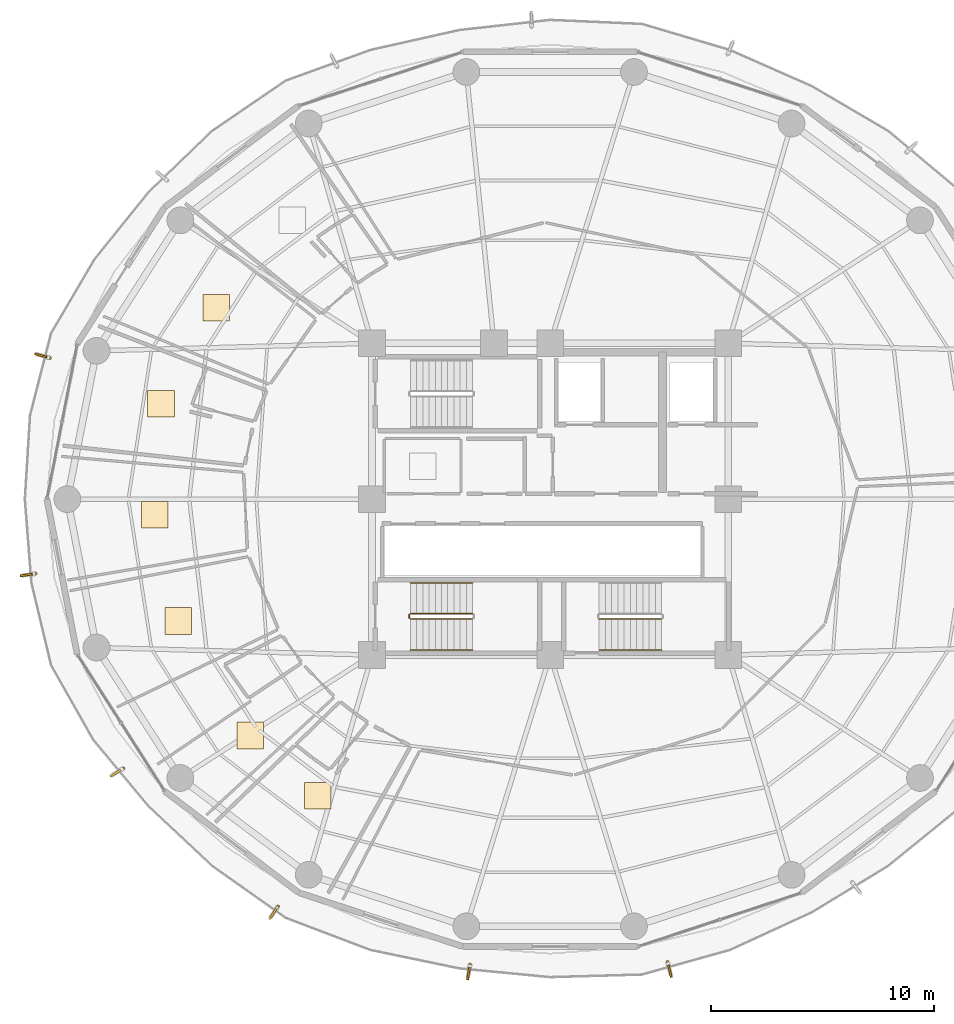
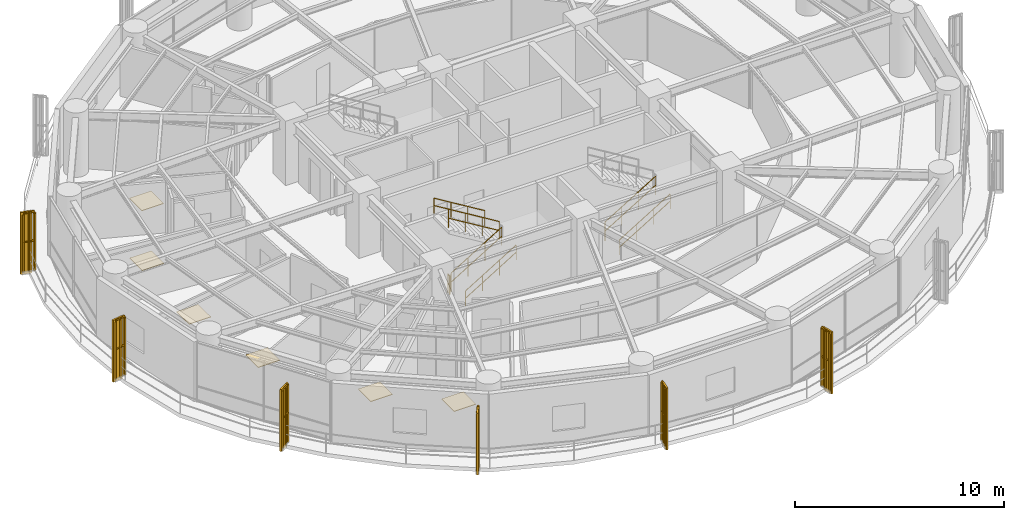
# One storey, part 25 of 28: 13 railings, 6 coverings, 6 shading devices.
"""IFC4 building model written with IfcOpenShell, lengths in metres."""

from ifc_helpers import new_model, si_unit, direction, frame, origin, origin_2d, place, context, subcontext, project, spatial, polyline, rectangle, outline, extrude, source, transform, mapped, material, layer, layer_set, type_object, element, save


model = new_model("IFC4")

# Units and contexts
model_context = context("Model", 3, precision=1e-05, world=origin(), true_north=direction((0.0, 1.0)))
body_context = subcontext(model_context, "Body", "Model", "MODEL_VIEW")
ifc_project = project(units=[si_unit("LENGTHUNIT", "METRE"), si_unit("AREAUNIT", "SQUARE_METRE"), si_unit("VOLUMEUNIT", "CUBIC_METRE"), si_unit("PLANEANGLEUNIT", "RADIAN"), si_unit("MASSUNIT", "GRAM", prefix="KILO")], contexts=[model_context])

# Site, building, storey
site_placement = place(None, origin())
site = spatial("IfcSite", under=ifc_project, at=site_placement, CompositionType="ELEMENT")
building_placement = place(site_placement, origin())
building = spatial("IfcBuilding", under=site, at=building_placement, Name="Kelanora Arch Commons", CompositionType="ELEMENT")
storey_placement = place(building_placement, frame((0.0, 0.0, 161.85009765625)))
storey = spatial("IfcBuildingStorey", under=building, at=storey_placement, Name="L41", CompositionType="ELEMENT", Elevation=161.85009765625)

# Railings
ifc_material_1 = material(Name="Anodised bronze vertical shading fin rib assembly")
railing_type_1 = type_object("IfcRailingType", Name="RAIL-FIN-BRZ", PredefinedType="BALUSTRADE", material=ifc_material_1)
railing_1_placement = place(storey_placement, frame((51.5302734375, 64.343505859375, -0.02001953125)))
element("IfcRailing", 1, at=railing_1_placement, inside=storey, type_object=railing_type_1, Name="Sweeping Bronze Vertical Fin Blade L41-07", PredefinedType="BALUSTRADE", context=body_context, shape_type="SweptSolid", body=[
    extrude(outline(polyline([(0.06982421875, 0.0), (0.034912109375, 0.060546875), (-0.034912109375, 0.060546875), (-0.06982421875, 0.0), (-0.034912109375, -0.060546875), (0.034912109375, -0.060546875), (0.06982421875, 0.0)])), frame((0.0, 0.0, 3.419921875), z_axis=(-0.962356396028, 0.271790667654, 0.0), x_axis=(-0.271790667654, -0.962356396028, 0.0)), (0.0, 0.0, 1.0), 0.5615234375),
    extrude(outline(polyline([(0.06982421875, 0.0), (0.034912109375, 0.060546875), (-0.034912109375, 0.060546875), (-0.06982421875, 0.0), (-0.034912109375, -0.060546875), (0.034912109375, -0.060546875), (0.06982421875, 0.0)])), frame((0.0, 0.0, 1.7451171875), z_axis=(-0.962356396028, 0.271790667654, 0.0), x_axis=(-0.271790667654, -0.962356396028, 0.0)), (0.0, 0.0, 1.0), 0.5615234375),
    extrude(outline(polyline([(0.080078125, 0.0), (0.0400390625, 0.0693359375), (-0.0400390625, 0.0693359375), (-0.080078125, 0.0), (-0.0400390625, -0.0693359375), (0.0400390625, -0.0693359375), (0.080078125, 0.0)])), origin(), (0.0, 0.0, 1.0), 3.35009765625),
    extrude(outline(polyline([(0.080078125, 0.0), (0.0400390625, 0.0693359375), (-0.0400390625, 0.0693359375), (-0.080078125, 0.0), (-0.0400390625, -0.0693359375), (0.0400390625, -0.0693359375), (0.080078125, 0.0)])), frame((-0.27001953125, 0.076171875, 0.0)), (0.0, 0.0, 1.0), 3.35009765625),
    extrude(outline(polyline([(0.080078125, 0.0), (0.0400390625, 0.0693359375), (-0.0400390625, 0.0693359375), (-0.080078125, 0.0), (-0.0400390625, -0.0693359375), (0.0400390625, -0.0693359375), (0.080078125, 0.0)])), frame((-0.540283203125, 0.152587890625, 0.0)), (0.0, 0.0, 1.0), 3.35009765625),
])
railing_2_placement = place(storey_placement, frame((50.891845703125, 54.65576171875, -0.02001953125)))
element("IfcRailing", 2, at=railing_2_placement, inside=storey, type_object=railing_type_1, Name="Sweeping Bronze Vertical Fin Blade L41-08", PredefinedType="BALUSTRADE", context=body_context, shape_type="SweptSolid", body=[
    extrude(outline(polyline([(0.06982421875, 0.0), (0.034912109375, 0.060546875), (-0.034912109375, 0.060546875), (-0.06982421875, 0.0), (-0.034912109375, -0.060546875), (0.034912109375, -0.060546875), (0.06982421875, 0.0)])), frame((0.0, 0.0, 3.419921875), z_axis=(-0.989651651991, -0.143490793127, 0.0), x_axis=(0.143490793127, -0.989651651991, 0.0)), (0.0, 0.0, 1.0), 0.5615234375),
    extrude(outline(polyline([(0.06982421875, 0.0), (0.034912109375, 0.060546875), (-0.034912109375, 0.060546875), (-0.06982421875, 0.0), (-0.034912109375, -0.060546875), (0.034912109375, -0.060546875), (0.06982421875, 0.0)])), frame((0.0, 0.0, 1.7451171875), z_axis=(-0.989651651991, -0.143490793127, 0.0), x_axis=(0.143490793127, -0.989651651991, 0.0)), (0.0, 0.0, 1.0), 0.5615234375),
    extrude(outline(polyline([(0.080078125, 0.0), (0.0400390625, 0.0693359375), (-0.0400390625, 0.0693359375), (-0.080078125, 0.0), (-0.0400390625, -0.0693359375), (0.0400390625, -0.0693359375), (0.080078125, 0.0)])), origin(), (0.0, 0.0, 1.0), 3.35009765625),
    extrude(outline(polyline([(0.080078125, 0.0), (0.0400390625, 0.0693359375), (-0.0400390625, 0.0693359375), (-0.080078125, 0.0), (-0.0400390625, -0.0693359375), (0.0400390625, -0.0693359375), (0.080078125, 0.0)])), frame((-0.27783203125, -0.040283203125, 0.0)), (0.0, 0.0, 1.0), 3.35009765625),
    extrude(outline(polyline([(0.080078125, 0.0), (0.0400390625, 0.0693359375), (-0.0400390625, 0.0693359375), (-0.080078125, 0.0), (-0.0400390625, -0.0693359375), (0.0400390625, -0.0693359375), (0.080078125, 0.0)])), frame((-0.5556640625, -0.08056640625, 0.0)), (0.0, 0.0, 1.0), 3.35009765625),
])
railing_3_placement = place(storey_placement, frame((54.831787109375, 45.912841796875, -0.02001953125)))
element("IfcRailing", 3, at=railing_3_placement, inside=storey, type_object=railing_type_1, Name="Sweeping Bronze Vertical Fin Blade L41-09", PredefinedType="BALUSTRADE", context=body_context, shape_type="SweptSolid", body=[
    extrude(outline(polyline([(0.06982421875, 0.0), (0.034912109375, 0.060546875), (-0.034912109375, 0.060546875), (-0.06982421875, 0.0), (-0.034912109375, -0.060546875), (0.034912109375, -0.060546875), (0.06982421875, 0.0)])), frame((0.0, 0.0, 3.419921875), z_axis=(-0.845767775405, -0.533551187878, 0.0), x_axis=(0.533551187878, -0.845767775405, 0.0)), (0.0, 0.0, 1.0), 0.5615234375),
    extrude(outline(polyline([(0.06982421875, 0.0), (0.034912109375, 0.060546875), (-0.034912109375, 0.060546875), (-0.06982421875, 0.0), (-0.034912109375, -0.060546875), (0.034912109375, -0.060546875), (0.06982421875, 0.0)])), frame((0.0, 0.0, 1.7451171875), z_axis=(-0.845767775405, -0.533551187878, 0.0), x_axis=(0.533551187878, -0.845767775405, 0.0)), (0.0, 0.0, 1.0), 0.5615234375),
    extrude(outline(polyline([(0.080078125, 0.0), (0.0400390625, 0.0693359375), (-0.0400390625, 0.0693359375), (-0.080078125, 0.0), (-0.0400390625, -0.0693359375), (0.0400390625, -0.0693359375), (0.080078125, 0.0)])), origin(), (0.0, 0.0, 1.0), 3.35009765625),
    extrude(outline(polyline([(0.080078125, 0.0), (0.0400390625, 0.0693359375), (-0.0400390625, 0.0693359375), (-0.080078125, 0.0), (-0.0400390625, -0.0693359375), (0.0400390625, -0.0693359375), (0.080078125, 0.0)])), frame((-0.2373046875, -0.14990234375, 0.0)), (0.0, 0.0, 1.0), 3.35009765625),
    extrude(outline(polyline([(0.080078125, 0.0), (0.0400390625, 0.0693359375), (-0.0400390625, 0.0693359375), (-0.080078125, 0.0), (-0.0400390625, -0.0693359375), (0.0400390625, -0.0693359375), (0.080078125, 0.0)])), frame((-0.474853515625, -0.299560546875, 0.0)), (0.0, 0.0, 1.0), 3.35009765625),
])
railing_4_placement = place(storey_placement, frame((61.7763671875, 39.71630859375, -0.02001953125)))
element("IfcRailing", 4, at=railing_4_placement, inside=storey, type_object=railing_type_1, Name="Sweeping Bronze Vertical Fin Blade L41-10", PredefinedType="BALUSTRADE", context=body_context, shape_type="SweptSolid", body=[
    extrude(outline(polyline([(0.06982421875, 0.0), (0.034912109375, 0.060546875), (-0.034912109375, 0.060546875), (-0.06982421875, 0.0), (-0.034912109375, -0.060546875), (0.034912109375, -0.060546875), (0.06982421875, 0.0)])), frame((0.0, 0.0, 3.419921875), z_axis=(-0.555904174369, -0.831246382801, 0.0), x_axis=(0.831246382801, -0.555904174369, 0.0)), (0.0, 0.0, 1.0), 0.561279296875),
    extrude(outline(polyline([(0.06982421875, 0.0), (0.034912109375, 0.060546875), (-0.034912109375, 0.060546875), (-0.06982421875, 0.0), (-0.034912109375, -0.060546875), (0.034912109375, -0.060546875), (0.06982421875, 0.0)])), frame((0.0, 0.0, 1.7451171875), z_axis=(-0.555904174369, -0.831246382801, 0.0), x_axis=(0.831246382801, -0.555904174369, 0.0)), (0.0, 0.0, 1.0), 0.561279296875),
    extrude(outline(polyline([(0.080078125, 0.0), (0.0400390625, 0.0693359375), (-0.0400390625, 0.0693359375), (-0.080078125, 0.0), (-0.0400390625, -0.0693359375), (0.0400390625, -0.0693359375), (0.080078125, 0.0)])), origin(), (0.0, 0.0, 1.0), 3.35009765625),
    extrude(outline(polyline([(0.080078125, 0.0), (0.0400390625, 0.0693359375), (-0.0400390625, 0.0693359375), (-0.080078125, 0.0), (-0.0400390625, -0.0693359375), (0.0400390625, -0.0693359375), (0.080078125, 0.0)])), frame((-0.156005859375, -0.2333984375, 0.0)), (0.0, 0.0, 1.0), 3.35009765625),
    extrude(outline(polyline([(0.080078125, 0.0), (0.0400390625, 0.0693359375), (-0.0400390625, 0.0693359375), (-0.080078125, 0.0), (-0.0400390625, -0.0693359375), (0.0400390625, -0.0693359375), (0.080078125, 0.0)])), frame((-0.31201171875, -0.466552734375, 0.0)), (0.0, 0.0, 1.0), 3.35009765625),
])
railing_5_placement = place(storey_placement, frame((70.404052734375, 37.10595703125, -0.02001953125)))
element("IfcRailing", 5, at=railing_5_placement, inside=storey, type_object=railing_type_1, Name="Sweeping Bronze Vertical Fin Blade L41-11", PredefinedType="BALUSTRADE", context=body_context, shape_type="SweptSolid", body=[
    extrude(outline(polyline([(0.06982421875, 0.0), (0.034912109375, 0.060546875), (-0.034912109375, 0.060546875), (-0.06982421875, 0.0), (-0.034912109375, -0.060546875), (0.034912109375, -0.060546875), (0.06982421875, 0.0)])), frame((0.0, 0.0, 3.419921875), z_axis=(-0.16961562862, -0.985510293466, 0.0), x_axis=(0.985510293466, -0.16961562862, 0.0)), (0.0, 0.0, 1.0), 0.561279296875),
    extrude(outline(polyline([(0.06982421875, 0.0), (0.034912109375, 0.060546875), (-0.034912109375, 0.060546875), (-0.06982421875, 0.0), (-0.034912109375, -0.060546875), (0.034912109375, -0.060546875), (0.06982421875, 0.0)])), frame((0.0, 0.0, 1.7451171875), z_axis=(-0.16961562862, -0.985510293466, 0.0), x_axis=(0.985510293466, -0.16961562862, 0.0)), (0.0, 0.0, 1.0), 0.561279296875),
    extrude(outline(polyline([(0.080078125, 0.0), (0.0400390625, 0.0693359375), (-0.0400390625, 0.0693359375), (-0.080078125, 0.0), (-0.0400390625, -0.0693359375), (0.0400390625, -0.0693359375), (0.080078125, 0.0)])), origin(), (0.0, 0.0, 1.0), 3.35009765625),
    extrude(outline(polyline([(0.080078125, 0.0), (0.0400390625, 0.0693359375), (-0.0400390625, 0.0693359375), (-0.080078125, 0.0), (-0.0400390625, -0.0693359375), (0.0400390625, -0.0693359375), (0.080078125, 0.0)])), frame((-0.047607421875, -0.276611328125, 0.0)), (0.0, 0.0, 1.0), 3.35009765625),
    extrude(outline(polyline([(0.080078125, 0.0), (0.0400390625, 0.0693359375), (-0.0400390625, 0.0693359375), (-0.080078125, 0.0), (-0.0400390625, -0.0693359375), (0.0400390625, -0.0693359375), (0.080078125, 0.0)])), frame((-0.09521484375, -0.55322265625, 0.0)), (0.0, 0.0, 1.0), 3.35009765625),
])
railing_6_placement = place(storey_placement, frame((79.27490234375, 37.20751953125, -0.02001953125)))
element("IfcRailing", 6, at=railing_6_placement, inside=storey, type_object=railing_type_1, Name="Sweeping Bronze Vertical Fin Blade L41-12", PredefinedType="BALUSTRADE", context=body_context, shape_type="SweptSolid", body=[
    extrude(outline(polyline([(0.06982421875, 0.0), (0.034912109375, 0.060546875), (-0.034912109375, 0.060546875), (-0.06982421875, 0.0), (-0.034912109375, -0.060546875), (0.034912109375, -0.060546875), (0.06982421875, 0.0)])), frame((0.0, 0.0, 3.419921875), z_axis=(0.245706383929, -0.969344300492, 0.0), x_axis=(0.969344300492, 0.245706383929, 0.0)), (0.0, 0.0, 1.0), 0.561279296875),
    extrude(outline(polyline([(0.06982421875, 0.0), (0.034912109375, 0.060546875), (-0.034912109375, 0.060546875), (-0.06982421875, 0.0), (-0.034912109375, -0.060546875), (0.034912109375, -0.060546875), (0.06982421875, 0.0)])), frame((0.0, 0.0, 1.7451171875), z_axis=(0.245706383929, -0.969344300492, 0.0), x_axis=(0.969344300492, 0.245706383929, 0.0)), (0.0, 0.0, 1.0), 0.561279296875),
    extrude(outline(polyline([(0.080078125, 0.0), (0.0400390625, 0.0693359375), (-0.0400390625, 0.0693359375), (-0.080078125, 0.0), (-0.0400390625, -0.0693359375), (0.0400390625, -0.0693359375), (0.080078125, 0.0)])), origin(), (0.0, 0.0, 1.0), 3.35009765625),
    extrude(outline(polyline([(0.080078125, 0.0), (0.0400390625, 0.0693359375), (-0.0400390625, 0.0693359375), (-0.080078125, 0.0), (-0.0400390625, -0.0693359375), (0.0400390625, -0.0693359375), (0.080078125, 0.0)])), frame((0.06884765625, -0.27197265625, 0.0)), (0.0, 0.0, 1.0), 3.35009765625),
    extrude(outline(polyline([(0.080078125, 0.0), (0.0400390625, 0.0693359375), (-0.0400390625, 0.0693359375), (-0.080078125, 0.0), (-0.0400390625, -0.0693359375), (0.0400390625, -0.0693359375), (0.080078125, 0.0)])), frame((0.137939453125, -0.544189453125, 0.0)), (0.0, 0.0, 1.0), 3.35009765625),
])
ifc_material_2 = material(Name="Painted steel stair well guard", Category="steel")
railing_type_2 = type_object("IfcRailingType", Name="RAIL-STAIR-GRD", PredefinedType="GUARDRAIL", material=ifc_material_2)
railing_7_placement = place(storey_placement, frame((76.199951171875, 52.610107421875, 0.17041015625)))
element("IfcRailing", 7, at=railing_7_placement, inside=storey, type_object=railing_type_2, Name="L41 ST-T2 stair guard 1", PredefinedType="GUARDRAIL", context=body_context, shape_type="SweptSolid", body=[
    extrude(outline(polyline([(0.02392578125, 0.0), (0.011962890625, 0.020751953125), (-0.011962890625, 0.020751953125), (-0.02392578125, 0.0), (-0.011962890625, -0.020751953125), (0.011962890625, -0.020751953125), (0.02392578125, 0.0)])), frame((0.0, 0.0, 1.076171875), z_axis=(0.854169791009, 0.0, 0.51999420009), x_axis=(0.0, 1.0, 0.0)), (0.0, 0.0, 1.0), 3.278076171875),
    extrude(outline(polyline([(0.02392578125, 0.0), (0.011962890625, 0.020751953125), (-0.011962890625, 0.020751953125), (-0.02392578125, 0.0), (-0.011962890625, -0.020751953125), (0.011962890625, -0.020751953125), (0.02392578125, 0.0)])), frame((0.0, 0.0, 0.550048828125), z_axis=(0.854169791009, 0.0, 0.51999420009), x_axis=(0.0, 1.0, 0.0)), (0.0, 0.0, 1.0), 3.278076171875),
    extrude(outline(polyline([(0.02099609375, 0.0), (0.010498046875, 0.01806640625), (-0.010498046875, 0.01806640625), (-0.02099609375, 0.0), (-0.010498046875, -0.01806640625), (0.010498046875, -0.01806640625), (0.02099609375, 0.0)])), origin(), (0.0, 0.0, 1.0), 1.052001953125),
    extrude(outline(polyline([(0.02099609375, 0.0), (0.010498046875, 0.01806640625), (-0.010498046875, 0.01806640625), (-0.02099609375, 0.0), (-0.010498046875, -0.01806640625), (0.010498046875, -0.01806640625), (0.02099609375, 0.0)])), frame((0.933349609375, 0.0, 0.568115234375)), (0.0, 0.0, 1.0), 1.052001953125),
    extrude(outline(polyline([(0.02099609375, 0.0), (0.010498046875, 0.01806640625), (-0.010498046875, 0.01806640625), (-0.02099609375, 0.0), (-0.010498046875, -0.01806640625), (0.010498046875, -0.01806640625), (0.02099609375, 0.0)])), frame((1.86669921875, 0.0, 1.136474609375)), (0.0, 0.0, 1.0), 1.052001953125),
    extrude(outline(polyline([(0.02099609375, 0.0), (0.010498046875, 0.01806640625), (-0.010498046875, 0.01806640625), (-0.02099609375, 0.0), (-0.010498046875, -0.01806640625), (0.010498046875, -0.01806640625), (0.02099609375, 0.0)])), frame((2.800048828125, 0.0, 1.70458984375)), (0.0, 0.0, 1.0), 1.052001953125),
])
railing_8_placement = place(storey_placement, frame((67.719970703125, 52.610107421875, 0.17041015625)))
element("IfcRailing", 8, at=railing_8_placement, inside=storey, type_object=railing_type_2, Name="L41 ST-T3 stair guard 1", PredefinedType="GUARDRAIL", context=body_context, shape_type="SweptSolid", body=[
    extrude(outline(polyline([(0.02392578125, 0.0), (0.011962890625, 0.020751953125), (-0.011962890625, 0.020751953125), (-0.02392578125, 0.0), (-0.011962890625, -0.020751953125), (0.011962890625, -0.020751953125), (0.02392578125, 0.0)])), frame((0.0, 0.0, 1.076171875), z_axis=(0.854169791009, 0.0, 0.51999420009), x_axis=(0.0, 1.0, 0.0)), (0.0, 0.0, 1.0), 3.278076171875),
    extrude(outline(polyline([(0.02392578125, 0.0), (0.011962890625, 0.020751953125), (-0.011962890625, 0.020751953125), (-0.02392578125, 0.0), (-0.011962890625, -0.020751953125), (0.011962890625, -0.020751953125), (0.02392578125, 0.0)])), frame((0.0, 0.0, 0.550048828125), z_axis=(0.854169791009, 0.0, 0.51999420009), x_axis=(0.0, 1.0, 0.0)), (0.0, 0.0, 1.0), 3.278076171875),
    extrude(outline(polyline([(0.02099609375, 0.0), (0.010498046875, 0.01806640625), (-0.010498046875, 0.01806640625), (-0.02099609375, 0.0), (-0.010498046875, -0.01806640625), (0.010498046875, -0.01806640625), (0.02099609375, 0.0)])), origin(), (0.0, 0.0, 1.0), 1.052001953125),
    extrude(outline(polyline([(0.02099609375, 0.0), (0.010498046875, 0.01806640625), (-0.010498046875, 0.01806640625), (-0.02099609375, 0.0), (-0.010498046875, -0.01806640625), (0.010498046875, -0.01806640625), (0.02099609375, 0.0)])), frame((0.933349609375, 0.0, 0.568115234375)), (0.0, 0.0, 1.0), 1.052001953125),
    extrude(outline(polyline([(0.02099609375, 0.0), (0.010498046875, 0.01806640625), (-0.010498046875, 0.01806640625), (-0.02099609375, 0.0), (-0.010498046875, -0.01806640625), (0.010498046875, -0.01806640625), (0.02099609375, 0.0)])), frame((1.86669921875, 0.0, 1.136474609375)), (0.0, 0.0, 1.0), 1.052001953125),
    extrude(outline(polyline([(0.02099609375, 0.0), (0.010498046875, 0.01806640625), (-0.010498046875, 0.01806640625), (-0.02099609375, 0.0), (-0.010498046875, -0.01806640625), (0.010498046875, -0.01806640625), (0.02099609375, 0.0)])), frame((2.800048828125, 0.0, 1.70458984375)), (0.0, 0.0, 1.0), 1.052001953125),
])
railing_9_placement = place(storey_placement, frame((70.52001953125, 52.860107421875, 2.04541015625)))
element("IfcRailing", 9, at=railing_9_placement, inside=storey, type_object=railing_type_2, Name="L41 ST-T3 stair guard 3", PredefinedType="GUARDRAIL", context=body_context, shape_type="SweptSolid", body=[
    extrude(outline(polyline([(0.02392578125, 0.0), (0.011962890625, 0.020751953125), (-0.011962890625, 0.020751953125), (-0.02392578125, 0.0), (-0.011962890625, -0.020751953125), (0.011962890625, -0.020751953125), (0.02392578125, 0.0)])), frame((0.0, 0.0, 1.076171875), z_axis=(-0.854169791009, 0.0, 0.51999420009), x_axis=(0.0, -1.0, 0.0)), (0.0, 0.0, 1.0), 3.278076171875),
    extrude(outline(polyline([(0.02392578125, 0.0), (0.011962890625, 0.020751953125), (-0.011962890625, 0.020751953125), (-0.02392578125, 0.0), (-0.011962890625, -0.020751953125), (0.011962890625, -0.020751953125), (0.02392578125, 0.0)])), frame((0.0, 0.0, 0.550048828125), z_axis=(-0.854169791009, 0.0, 0.51999420009), x_axis=(0.0, -1.0, 0.0)), (0.0, 0.0, 1.0), 3.278076171875),
    extrude(outline(polyline([(0.02099609375, 0.0), (0.010498046875, 0.01806640625), (-0.010498046875, 0.01806640625), (-0.02099609375, 0.0), (-0.010498046875, -0.01806640625), (0.010498046875, -0.01806640625), (0.02099609375, 0.0)])), origin(), (0.0, 0.0, 1.0), 1.052001953125),
    extrude(outline(polyline([(0.02099609375, 0.0), (0.010498046875, 0.01806640625), (-0.010498046875, 0.01806640625), (-0.02099609375, 0.0), (-0.010498046875, -0.01806640625), (0.010498046875, -0.01806640625), (0.02099609375, 0.0)])), frame((-0.933349609375, 0.0, 0.568115234375)), (0.0, 0.0, 1.0), 1.052001953125),
    extrude(outline(polyline([(0.02099609375, 0.0), (0.010498046875, 0.01806640625), (-0.010498046875, 0.01806640625), (-0.02099609375, 0.0), (-0.010498046875, -0.01806640625), (0.010498046875, -0.01806640625), (0.02099609375, 0.0)])), frame((-1.86669921875, 0.0, 1.136474609375)), (0.0, 0.0, 1.0), 1.052001953125),
    extrude(outline(polyline([(0.02099609375, 0.0), (0.010498046875, 0.01806640625), (-0.010498046875, 0.01806640625), (-0.02099609375, 0.0), (-0.010498046875, -0.01806640625), (0.010498046875, -0.01806640625), (0.02099609375, 0.0)])), frame((-2.800048828125, 0.0, 1.70458984375)), (0.0, 0.0, 1.0), 1.052001953125),
])
railing_10_placement = place(storey_placement, frame((67.669921875, 52.659912109375, 0.0)))
element("IfcRailing", 10, at=railing_10_placement, inside=storey, type_object=railing_type_2, Name="L41 ST-T3 stair guard 4", PredefinedType="GUARDRAIL", context=body_context, shape_type="SweptSolid", body=[
    extrude(outline(polyline([(0.02392578125, 0.0), (0.011962890625, 0.020751953125), (-0.011962890625, 0.020751953125), (-0.02392578125, 0.0), (-0.011962890625, -0.020751953125), (0.011962890625, -0.020751953125), (0.02392578125, 0.0)])), frame((0.0, 0.0, 1.076171875), z_axis=(0.0, 1.0, 0.0), x_axis=(-1.0, 0.0, 0.0)), (0.0, 0.0, 1.0), 0.150146484375),
    extrude(outline(polyline([(0.02392578125, 0.0), (0.011962890625, 0.020751953125), (-0.011962890625, 0.020751953125), (-0.02392578125, 0.0), (-0.011962890625, -0.020751953125), (0.011962890625, -0.020751953125), (0.02392578125, 0.0)])), frame((0.0, 0.0, 0.550048828125), z_axis=(0.0, 1.0, 0.0), x_axis=(-1.0, 0.0, 0.0)), (0.0, 0.0, 1.0), 0.150146484375),
    extrude(outline(polyline([(0.02099609375, 0.0), (0.010498046875, 0.01806640625), (-0.010498046875, 0.01806640625), (-0.02099609375, 0.0), (-0.010498046875, -0.01806640625), (0.010498046875, -0.01806640625), (0.02099609375, 0.0)])), origin(), (0.0, 0.0, 1.0), 1.052001953125),
    extrude(outline(polyline([(0.02099609375, 0.0), (0.010498046875, 0.01806640625), (-0.010498046875, 0.01806640625), (-0.02099609375, 0.0), (-0.010498046875, -0.01806640625), (0.010498046875, -0.01806640625), (0.02099609375, 0.0)])), frame((0.0, 0.150146484375, 0.0)), (0.0, 0.0, 1.0), 1.052001953125),
])
ifc_material_3 = material(Name="Brushed stainless steel stair handrail", Category="steel")
railing_type_3 = type_object("IfcRailingType", Name="RAIL-STAIR-HND", PredefinedType="HANDRAIL", material=ifc_material_3)
railing_11_placement = place(storey_placement, frame((76.199951171875, 51.22998046875, 0.17041015625)))
element("IfcRailing", 11, at=railing_11_placement, inside=storey, type_object=railing_type_3, Name="L41 ST-T2 stair handrail 1", PredefinedType="HANDRAIL", context=body_context, shape_type="SweptSolid", body=[
    extrude(outline(polyline([(0.02392578125, 0.0), (0.011962890625, 0.020751953125), (-0.011962890625, 0.020751953125), (-0.02392578125, 0.0), (-0.011962890625, -0.020751953125), (0.011962890625, -0.020751953125), (0.02392578125, 0.0)])), frame((0.0, 0.0, 0.8759765625), z_axis=(0.854169791009, 0.0, 0.51999420009), x_axis=(0.0, 1.0, 0.0)), (0.0, 0.0, 1.0), 3.278076171875),
    extrude(outline(polyline([(0.02392578125, 0.0), (0.011962890625, 0.020751953125), (-0.011962890625, 0.020751953125), (-0.02392578125, 0.0), (-0.011962890625, -0.020751953125), (0.011962890625, -0.020751953125), (0.02392578125, 0.0)])), frame((0.0, 0.0, 0.449951171875), z_axis=(0.854169791009, 0.0, 0.51999420009), x_axis=(0.0, 1.0, 0.0)), (0.0, 0.0, 1.0), 3.278076171875),
    extrude(outline(polyline([(0.02099609375, 0.0), (0.010498046875, 0.01806640625), (-0.010498046875, 0.01806640625), (-0.02099609375, 0.0), (-0.010498046875, -0.01806640625), (0.010498046875, -0.01806640625), (0.02099609375, 0.0)])), origin(), (0.0, 0.0, 1.0), 0.851806640625),
    extrude(outline(polyline([(0.02099609375, 0.0), (0.010498046875, 0.01806640625), (-0.010498046875, 0.01806640625), (-0.02099609375, 0.0), (-0.010498046875, -0.01806640625), (0.010498046875, -0.01806640625), (0.02099609375, 0.0)])), frame((0.933349609375, 0.0, 0.568115234375)), (0.0, 0.0, 1.0), 0.851806640625),
    extrude(outline(polyline([(0.02099609375, 0.0), (0.010498046875, 0.01806640625), (-0.010498046875, 0.01806640625), (-0.02099609375, 0.0), (-0.010498046875, -0.01806640625), (0.010498046875, -0.01806640625), (0.02099609375, 0.0)])), frame((1.86669921875, 0.0, 1.136474609375)), (0.0, 0.0, 1.0), 0.851806640625),
    extrude(outline(polyline([(0.02099609375, 0.0), (0.010498046875, 0.01806640625), (-0.010498046875, 0.01806640625), (-0.02099609375, 0.0), (-0.010498046875, -0.01806640625), (0.010498046875, -0.01806640625), (0.02099609375, 0.0)])), frame((2.800048828125, 0.0, 1.70458984375)), (0.0, 0.0, 1.0), 0.851806640625),
])
railing_12_placement = place(storey_placement, frame((67.719970703125, 51.22998046875, 0.17041015625)))
element("IfcRailing", 12, at=railing_12_placement, inside=storey, type_object=railing_type_3, Name="L41 ST-T3 stair handrail 1", PredefinedType="HANDRAIL", context=body_context, shape_type="SweptSolid", body=[
    extrude(outline(polyline([(0.02392578125, 0.0), (0.011962890625, 0.020751953125), (-0.011962890625, 0.020751953125), (-0.02392578125, 0.0), (-0.011962890625, -0.020751953125), (0.011962890625, -0.020751953125), (0.02392578125, 0.0)])), frame((0.0, 0.0, 0.8759765625), z_axis=(0.854169791009, 0.0, 0.51999420009), x_axis=(0.0, 1.0, 0.0)), (0.0, 0.0, 1.0), 3.278076171875),
    extrude(outline(polyline([(0.02392578125, 0.0), (0.011962890625, 0.020751953125), (-0.011962890625, 0.020751953125), (-0.02392578125, 0.0), (-0.011962890625, -0.020751953125), (0.011962890625, -0.020751953125), (0.02392578125, 0.0)])), frame((0.0, 0.0, 0.449951171875), z_axis=(0.854169791009, 0.0, 0.51999420009), x_axis=(0.0, 1.0, 0.0)), (0.0, 0.0, 1.0), 3.278076171875),
    extrude(outline(polyline([(0.02099609375, 0.0), (0.010498046875, 0.01806640625), (-0.010498046875, 0.01806640625), (-0.02099609375, 0.0), (-0.010498046875, -0.01806640625), (0.010498046875, -0.01806640625), (0.02099609375, 0.0)])), origin(), (0.0, 0.0, 1.0), 0.851806640625),
    extrude(outline(polyline([(0.02099609375, 0.0), (0.010498046875, 0.01806640625), (-0.010498046875, 0.01806640625), (-0.02099609375, 0.0), (-0.010498046875, -0.01806640625), (0.010498046875, -0.01806640625), (0.02099609375, 0.0)])), frame((0.933349609375, 0.0, 0.568115234375)), (0.0, 0.0, 1.0), 0.851806640625),
    extrude(outline(polyline([(0.02099609375, 0.0), (0.010498046875, 0.01806640625), (-0.010498046875, 0.01806640625), (-0.02099609375, 0.0), (-0.010498046875, -0.01806640625), (0.010498046875, -0.01806640625), (0.02099609375, 0.0)])), frame((1.86669921875, 0.0, 1.136474609375)), (0.0, 0.0, 1.0), 0.851806640625),
    extrude(outline(polyline([(0.02099609375, 0.0), (0.010498046875, 0.01806640625), (-0.010498046875, 0.01806640625), (-0.02099609375, 0.0), (-0.010498046875, -0.01806640625), (0.010498046875, -0.01806640625), (0.02099609375, 0.0)])), frame((2.800048828125, 0.0, 1.70458984375)), (0.0, 0.0, 1.0), 0.851806640625),
])
railing_13_placement = place(storey_placement, frame((70.52001953125, 54.239990234375, 2.04541015625)))
element("IfcRailing", 13, at=railing_13_placement, inside=storey, type_object=railing_type_3, Name="L41 ST-T3 stair handrail 2", PredefinedType="HANDRAIL", context=body_context, shape_type="SweptSolid", body=[
    extrude(outline(polyline([(0.02392578125, 0.0), (0.011962890625, 0.020751953125), (-0.011962890625, 0.020751953125), (-0.02392578125, 0.0), (-0.011962890625, -0.020751953125), (0.011962890625, -0.020751953125), (0.02392578125, 0.0)])), frame((0.0, 0.0, 0.8759765625), z_axis=(-0.854169791009, 0.0, 0.51999420009), x_axis=(0.0, -1.0, 0.0)), (0.0, 0.0, 1.0), 3.278076171875),
    extrude(outline(polyline([(0.02392578125, 0.0), (0.011962890625, 0.020751953125), (-0.011962890625, 0.020751953125), (-0.02392578125, 0.0), (-0.011962890625, -0.020751953125), (0.011962890625, -0.020751953125), (0.02392578125, 0.0)])), frame((0.0, 0.0, 0.449951171875), z_axis=(-0.854169791009, 0.0, 0.51999420009), x_axis=(0.0, -1.0, 0.0)), (0.0, 0.0, 1.0), 3.278076171875),
    extrude(outline(polyline([(0.02099609375, 0.0), (0.010498046875, 0.01806640625), (-0.010498046875, 0.01806640625), (-0.02099609375, 0.0), (-0.010498046875, -0.01806640625), (0.010498046875, -0.01806640625), (0.02099609375, 0.0)])), origin(), (0.0, 0.0, 1.0), 0.851806640625),
    extrude(outline(polyline([(0.02099609375, 0.0), (0.010498046875, 0.01806640625), (-0.010498046875, 0.01806640625), (-0.02099609375, 0.0), (-0.010498046875, -0.01806640625), (0.010498046875, -0.01806640625), (0.02099609375, 0.0)])), frame((-0.933349609375, 0.0, 0.568115234375)), (0.0, 0.0, 1.0), 0.851806640625),
    extrude(outline(polyline([(0.02099609375, 0.0), (0.010498046875, 0.01806640625), (-0.010498046875, 0.01806640625), (-0.02099609375, 0.0), (-0.010498046875, -0.01806640625), (0.010498046875, -0.01806640625), (0.02099609375, 0.0)])), frame((-1.86669921875, 0.0, 1.136474609375)), (0.0, 0.0, 1.0), 0.851806640625),
    extrude(outline(polyline([(0.02099609375, 0.0), (0.010498046875, 0.01806640625), (-0.010498046875, 0.01806640625), (-0.02099609375, 0.0), (-0.010498046875, -0.01806640625), (0.010498046875, -0.01806640625), (0.02099609375, 0.0)])), frame((-2.800048828125, 0.0, 1.70458984375)), (0.0, 0.0, 1.0), 0.851806640625),
])

# Shading devices
ifc_material_4 = material(Name="Terracotta ceramic-clad extruded aluminium fin", Category="masonry")
shading_device_type = type_object("IfcShadingDeviceType", Name="SHD-FIN-WAIST", PredefinedType="USERDEFINED", material=ifc_material_4)
shared_shape_1 = source(origin(), body_context, "Body", "SweptSolid", [
    extrude(rectangle(XDim=0.56005859375, YDim=0.090087890625, at=origin_2d()), origin(), (0.0, 0.0, 1.0), 3.610107421875),
])
for number, where, z_axis, x_axis, name in (
    (14, (51.125244140625, 64.457763671875, -0.14013671875), (0.0, 0.0, 1.0), (-0.962407846499, 0.271608425858, 0.0), "Sweeping Terracotta Fin L41-07"),
    (15, (50.4755859375, 54.595458984375, -0.14013671875), (0.0, 0.0, 1.0), (-0.989676415933, -0.143319893055, 0.0), "Sweeping Terracotta Fin L41-08"),
    (16, (54.47607421875, 45.6884765625, -0.14013671875), (0.0, 0.0, 1.0), (-0.845820942125, -0.533466900438, 0.0), "Sweeping Terracotta Fin L41-09"),
    (17, (61.54248046875, 39.36669921875, -0.14013671875), (0.0, 0.0, 1.0), (-0.555715343381, -0.831372634341, 0.0), "Sweeping Terracotta Fin L41-10"),
    (18, (70.332763671875, 36.69140625, -0.14013671875), (0.0, 0.0, 1.0), (-0.169521513251, -0.985526486983, 0.0), "Sweeping Terracotta Fin L41-11"),
    (19, (79.37841796875, 36.7998046875, -0.14013671875), (0.0, 0.0, 1.0), (0.245984126575, -0.969273856799, 0.0), "Sweeping Terracotta Fin L41-12"),
):
    element("IfcShadingDevice", number, at=place(storey_placement, frame(where, z_axis=z_axis, x_axis=x_axis)), inside=storey, type_object=shading_device_type, Name=name, ObjectType="FIN", PredefinedType="USERDEFINED", context=body_context, shape_type="MappedRepresentation", body=[
        mapped(shared_shape_1, transform((0.0, 0.0, 0.0), scale=1.0)),
    ])

# Coverings
ifc_material_5 = material(Name="Polished local granite terrazzo flooring", Category="masonry")
ifc_layer = layer(ifc_material_5, 0.030029296875)
ifc_layer_set = layer_set([ifc_layer], Name="Polished local granite terrazzo flooring")
covering_type = type_object("IfcCoveringType", Name="COV-FLR-TER", PredefinedType="FLOORING", material=ifc_layer_set)
shared_shape_2 = source(origin(), body_context, "Body", "SweptSolid", [
    extrude(rectangle(XDim=1.199951171875, YDim=1.199951171875, at=origin_2d()), origin(), (0.0, 0.0, 1.0), 0.030029296875),
])
for number, where, z_axis, x_axis, name in (
    (20, (59.010986328125, 66.601318359375, 0.0), (0.0, 0.0, 1.0), (1.0, 0.0, 0.0), "Shared Cluster Kitchen L41-02 Terrazzo Finish"),
    (21, (56.527099609375, 62.281005859375, 0.0), (0.0, 0.0, 1.0), (1.0, 0.0, 0.0), "Cluster Bedroom L41-03 Terrazzo Finish"),
    (22, (56.2392578125, 57.302490234375, 0.0), (0.0, 0.0, 1.0), (1.0, 0.0, 0.0), "Quiet Seminar Study Room L41-04 Terrazzo Finish"),
    (23, (57.295654296875, 52.525390625, 0.0), (0.0, 0.0, 1.0), (1.0, 0.0, 0.0), "Social Sky Lounge L41-05 Terrazzo Finish"),
    (24, (60.534423828125, 47.384521484375, 0.0), (0.0, 0.0, 1.0), (1.0, 0.0, 0.0), "Tutorial Study Alcove L41-06 Terrazzo Finish"),
    (25, (63.568115234375, 44.680908203125, 0.0), (0.0, 0.0, 1.0), (1.0, 0.0, 0.0), "Cluster Bedroom L41-07 Terrazzo Finish"),
):
    element("IfcCovering", number, at=place(storey_placement, frame(where, z_axis=z_axis, x_axis=x_axis)), inside=storey, type_object=covering_type, Name=name, PredefinedType="FLOORING", context=body_context, shape_type="MappedRepresentation", body=[
        mapped(shared_shape_2, transform((0.0, 0.0, 0.0), scale=1.0)),
    ])

save(model, "model.ifc")
